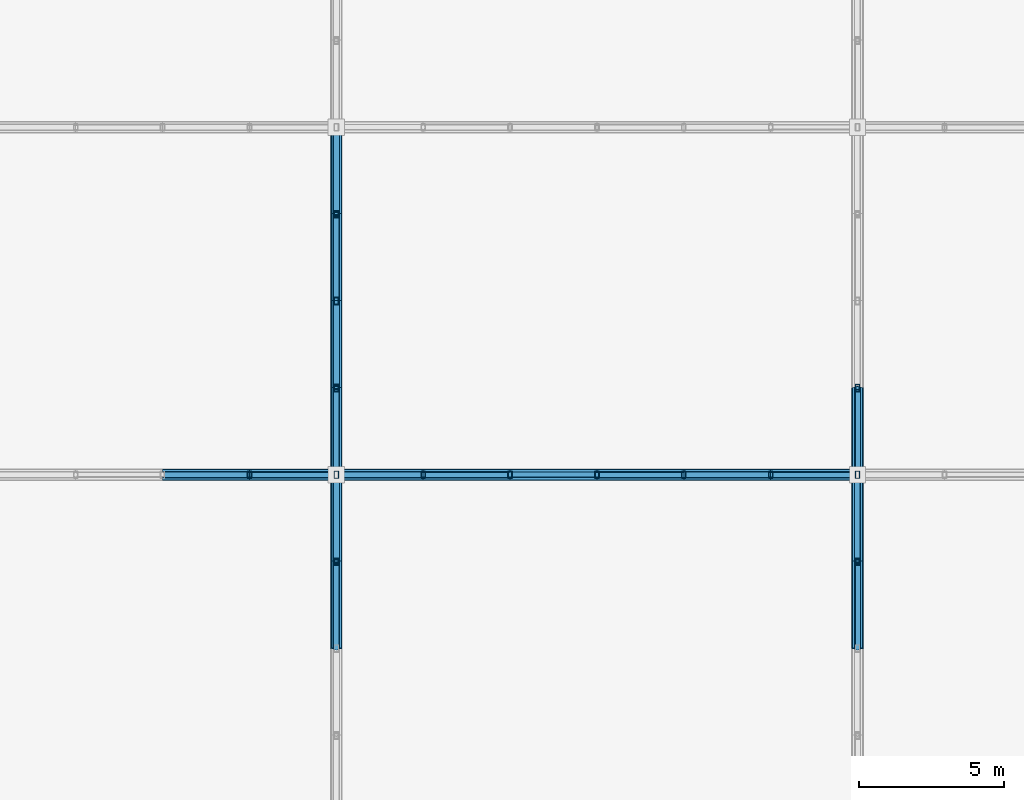
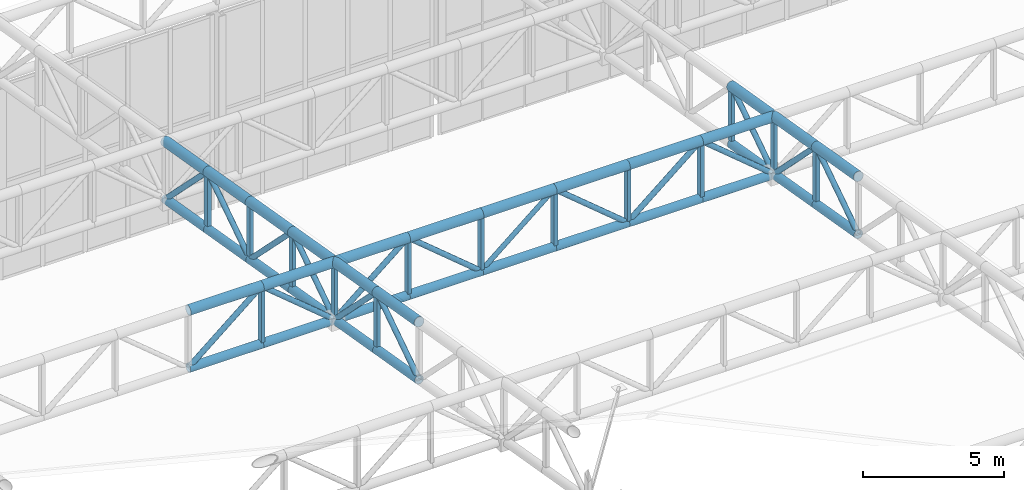
# One storey, part 106 of 239: 65 members.
"""IFC4 building model written with IfcOpenShell, lengths in metres."""

from ifc_helpers import new_model, si_unit, direction, frame, origin, origin_2d, place, context, subcontext, project, spatial, hollow_rectangle, hollow_circle, extrude, material, material_profile, profile_set, type_object, element, save


model = new_model("IFC4")

# Units and contexts
model_context = context("Model", 3, precision=1e-05, world=origin(), true_north=direction((0.0, 1.0)))
body_context = subcontext(model_context, "Body", "Model", "MODEL_VIEW")
ifc_project = project(units=[si_unit("LENGTHUNIT", "METRE"), si_unit("AREAUNIT", "SQUARE_METRE"), si_unit("VOLUMEUNIT", "CUBIC_METRE"), si_unit("PLANEANGLEUNIT", "RADIAN"), si_unit("MASSUNIT", "GRAM", prefix="KILO")], contexts=[model_context])

# Site, building, storey
site_placement = place(None, origin())
site = spatial("IfcSite", under=ifc_project, at=site_placement, CompositionType="ELEMENT")
building_placement = place(site_placement, origin())
building = spatial("IfcBuilding", under=site, at=building_placement, Name="Kaldris Quays Convention Centre", CompositionType="ELEMENT")
storey_placement = place(building_placement, frame((0.0, 0.0, 11.39990234375)))
storey = spatial("IfcBuildingStorey", under=building, at=storey_placement, Name="L02", CompositionType="ELEMENT", Elevation=11.39990234375)

# Members
ifc_material = material(Name="Steel S355J2H", Category="steel")
ifc_material_profile_1 = material_profile(ifc_material, hollow_circle(Radius=0.203125, WallThickness=0.01611328125, at=origin_2d()), Name="CHS 406.4x16")
ifc_profile_set_1 = profile_set([ifc_material_profile_1], Name="Steel S355J2H")
member_type_1 = type_object("IfcMemberType", Name="STRUCTURAL MEMBER SC01", PredefinedType="CHORD", material=ifc_profile_set_1)
for number, where, z_axis, x_axis, name in (
    (1, (50.0, 116.0, 13.7861328125), (1.0, 0.0, 0.0), (0.0, 1.0, 0.0), "SF-V1 Top Chord X 221"),
    (2, (53.0, 116.0, 13.7861328125), (1.0, 0.0, 0.0), (0.0, 1.0, 0.0), "SF-V1 Top Chord X 222"),
    (3, (56.0, 116.0, 13.7861328125), (1.0, 0.0, 0.0), (0.0, 1.0, 0.0), "SF-V1 Top Chord X 223"),
    (4, (59.0, 116.0, 13.7861328125), (1.0, 0.0, 0.0), (0.0, 1.0, 0.0), "SF-V1 Top Chord X 224"),
    (5, (62.0, 116.0, 13.7861328125), (1.0, 0.0, 0.0), (0.0, 1.0, 0.0), "SF-V1 Top Chord X 225"),
    (6, (65.0, 116.0, 13.7861328125), (1.0, 0.0, 0.0), (0.0, 1.0, 0.0), "SF-V1 Top Chord X 226"),
    (7, (68.0, 116.0, 13.7861328125), (1.0, 0.0, 0.0), (0.0, 1.0, 0.0), "SF-V1 Top Chord X 227"),
    (8, (71.0, 116.0, 13.7861328125), (1.0, 0.0, 0.0), (0.0, 1.0, 0.0), "SF-V1 Top Chord X 228"),
):
    element("IfcMember", number, at=place(storey_placement, frame(where, z_axis=z_axis, x_axis=x_axis)), inside=storey, type_object=member_type_1, Name=name, PredefinedType="CHORD", context=body_context, shape_type="SweptSolid", body=[
        extrude(hollow_circle(Radius=0.203125, WallThickness=0.01611328125, at=origin_2d()), origin(), (0.0, 0.0, 1.0), 3.0),
    ])
for number, where, z_axis, x_axis, name in (
    (9, (56.0, 110.0, 14.814697265625), (0.0, 0.98562912375, -0.168923741424), (-1.0, 0.0, 0.0), "SF-V1 Top Chord Y 411"),
    (10, (56.0, 113.0, 14.300537109375), (0.0, 0.985615766076, -0.169001661712), (-1.0, 0.0, 0.0), "SF-V1 Top Chord Y 412"),
    (11, (56.0, 116.0, 13.7861328125), (0.0, 0.98562912375, -0.168923741424), (-1.0, 0.0, 0.0), "SF-V1 Top Chord Y 413"),
    (12, (56.0, 119.0, 13.27197265625), (0.0, 0.985615766076, -0.169001661712), (-1.0, 0.0, 0.0), "SF-V1 Top Chord Y 414"),
    (13, (56.0, 122.0, 12.757568359375), (0.0, 0.98562912375, -0.168923741424), (-1.0, 0.0, 0.0), "SF-V1 Top Chord Y 415"),
    (14, (56.0, 125.0, 12.243408203125), (0.0, 0.985615766076, -0.169001661712), (-1.0, 0.0, 0.0), "SF-V1 Top Chord Y 416"),
    (15, (74.0, 110.0, 14.814697265625), (0.0, 0.98562912375, -0.168923741424), (-1.0, 0.0, 0.0), "SF-V1 Top Chord Y 439"),
    (16, (74.0, 113.0, 14.300537109375), (0.0, 0.985615766076, -0.169001661712), (-1.0, 0.0, 0.0), "SF-V1 Top Chord Y 440"),
    (17, (74.0, 116.0, 13.7861328125), (0.0, 0.98562912375, -0.168923741424), (-1.0, 0.0, 0.0), "SF-V1 Top Chord Y 441"),
):
    element("IfcMember", number, at=place(storey_placement, frame(where, z_axis=z_axis, x_axis=x_axis)), inside=storey, type_object=member_type_1, Name=name, PredefinedType="CHORD", context=body_context, shape_type="SweptSolid", body=[
        extrude(hollow_circle(Radius=0.203125, WallThickness=0.01611328125, at=origin_2d()), origin(), (0.0, 0.0, 1.0), 3.043701171875),
    ])
ifc_material_profile_2 = material_profile(ifc_material, hollow_circle(Radius=0.177734375, WallThickness=0.01611328125, at=origin_2d()), Name="CHS 355.6x16")
ifc_profile_set_2 = profile_set([ifc_material_profile_2], Name="Steel S355J2H")
member_type_2 = type_object("IfcMemberType", Name="STRUCTURAL MEMBER SC02", PredefinedType="CHORD", material=ifc_profile_set_2)
for number, where, z_axis, x_axis, name in (
    (18, (50.0, 116.0, 11.2861328125), (1.0, 0.0, 0.0), (0.0, 1.0, 0.0), "SF-V1 Bottom Chord X 221"),
    (19, (53.0, 116.0, 11.2861328125), (1.0, 0.0, 0.0), (0.0, 1.0, 0.0), "SF-V1 Bottom Chord X 222"),
    (20, (56.0, 116.0, 11.2861328125), (1.0, 0.0, 0.0), (0.0, 1.0, 0.0), "SF-V1 Bottom Chord X 223"),
    (21, (59.0, 116.0, 11.2861328125), (1.0, 0.0, 0.0), (0.0, 1.0, 0.0), "SF-V1 Bottom Chord X 224"),
    (22, (62.0, 116.0, 11.2861328125), (1.0, 0.0, 0.0), (0.0, 1.0, 0.0), "SF-V1 Bottom Chord X 225"),
    (23, (65.0, 116.0, 11.2861328125), (1.0, 0.0, 0.0), (0.0, 1.0, 0.0), "SF-V1 Bottom Chord X 226"),
    (24, (68.0, 116.0, 11.2861328125), (1.0, 0.0, 0.0), (0.0, 1.0, 0.0), "SF-V1 Bottom Chord X 227"),
    (25, (71.0, 116.0, 11.2861328125), (1.0, 0.0, 0.0), (0.0, 1.0, 0.0), "SF-V1 Bottom Chord X 228"),
):
    element("IfcMember", number, at=place(storey_placement, frame(where, z_axis=z_axis, x_axis=x_axis)), inside=storey, type_object=member_type_2, Name=name, PredefinedType="CHORD", context=body_context, shape_type="SweptSolid", body=[
        extrude(hollow_circle(Radius=0.177734375, WallThickness=0.01611328125, at=origin_2d()), origin(), (0.0, 0.0, 1.0), 3.0),
    ])
for number, where, z_axis, x_axis, name in (
    (26, (56.0, 110.0, 12.314697265625), (0.0, 0.98562912375, -0.168923741424), (-1.0, 0.0, 0.0), "SF-V1 Bottom Chord Y 411"),
    (27, (56.0, 113.0, 11.800537109375), (0.0, 0.985615766076, -0.169001661712), (-1.0, 0.0, 0.0), "SF-V1 Bottom Chord Y 412"),
    (28, (56.0, 116.0, 11.2861328125), (0.0, 0.98562912375, -0.168923741424), (-1.0, 0.0, 0.0), "SF-V1 Bottom Chord Y 413"),
    (29, (56.0, 119.0, 10.77197265625), (0.0, 0.985615766076, -0.169001661712), (-1.0, 0.0, 0.0), "SF-V1 Bottom Chord Y 414"),
    (30, (56.0, 122.0, 10.257568359375), (0.0, 0.98562912375, -0.168923741424), (-1.0, 0.0, 0.0), "SF-V1 Bottom Chord Y 415"),
    (31, (56.0, 125.0, 9.743408203125), (0.0, 0.985615766076, -0.169001661712), (-1.0, 0.0, 0.0), "SF-V1 Bottom Chord Y 416"),
    (32, (74.0, 110.0, 12.314697265625), (0.0, 0.98562912375, -0.168923741424), (-1.0, 0.0, 0.0), "SF-V1 Bottom Chord Y 439"),
    (33, (74.0, 113.0, 11.800537109375), (0.0, 0.985615766076, -0.169001661712), (-1.0, 0.0, 0.0), "SF-V1 Bottom Chord Y 440"),
    (34, (74.0, 116.0, 11.2861328125), (0.0, 0.98562912375, -0.168923741424), (-1.0, 0.0, 0.0), "SF-V1 Bottom Chord Y 441"),
):
    element("IfcMember", number, at=place(storey_placement, frame(where, z_axis=z_axis, x_axis=x_axis)), inside=storey, type_object=member_type_2, Name=name, PredefinedType="CHORD", context=body_context, shape_type="SweptSolid", body=[
        extrude(hollow_circle(Radius=0.177734375, WallThickness=0.01611328125, at=origin_2d()), origin(), (0.0, 0.0, 1.0), 3.043701171875),
    ])
ifc_material_profile_3 = material_profile(ifc_material, hollow_circle(Radius=0.109619140625, WallThickness=0.010009765625, at=origin_2d()), Name="CHS 219.1x10")
ifc_profile_set_3 = profile_set([ifc_material_profile_3], Name="Steel S355J2H")
member_type_3 = type_object("IfcMemberType", Name="STRUCTURAL MEMBER SWB1", PredefinedType="BRACE", material=ifc_profile_set_3)
for number, where, z_axis, x_axis, name in (
    (35, (50.0, 116.0, 11.2861328125), (0.768221279597, 0.0, 0.640184399664), (0.0, 1.0, 0.0), "SF-V1 Web Diagonal X 221"),
    (36, (56.0, 116.0, 11.2861328125), (-0.768221279597, 0.0, 0.640184399664), (0.0, -1.0, 0.0), "SF-V1 Web Diagonal X 222"),
    (37, (56.0, 116.0, 11.2861328125), (0.768221279597, 0.0, 0.640184399664), (0.0, 1.0, 0.0), "SF-V1 Web Diagonal X 223"),
    (38, (62.0, 116.0, 11.2861328125), (-0.768221279597, 0.0, 0.640184399664), (0.0, -1.0, 0.0), "SF-V1 Web Diagonal X 224"),
    (39, (68.0, 116.0, 11.2861328125), (-0.768221279597, 0.0, 0.640184399664), (0.0, -1.0, 0.0), "SF-V1 Web Diagonal X 226"),
    (40, (68.0, 116.0, 11.2861328125), (0.768221279597, 0.0, 0.640184399664), (0.0, 1.0, 0.0), "SF-V1 Web Diagonal X 227"),
    (41, (74.0, 116.0, 11.2861328125), (-0.768221279597, 0.0, 0.640184399664), (0.0, -1.0, 0.0), "SF-V1 Web Diagonal X 228"),
):
    element("IfcMember", number, at=place(storey_placement, frame(where, z_axis=z_axis, x_axis=x_axis)), inside=storey, type_object=member_type_3, Name=name, PredefinedType="BRACE", context=body_context, shape_type="SweptSolid", body=[
        extrude(hollow_circle(Radius=0.109619140625, WallThickness=0.010009765625, at=origin_2d()), origin(), (0.0, 0.0, 1.0), 3.905029296875),
    ])
member_1_placement = place(storey_placement, frame((56.0, 110.0, 12.314697265625), z_axis=(0.0, 0.833862389808, 0.551972385962), x_axis=(-1.0, 0.0, 0.0)))
element("IfcMember", 42, at=member_1_placement, inside=storey, type_object=member_type_3, Name="SF-V1 Web Diagonal Y 411", PredefinedType="BRACE", context=body_context, shape_type="SweptSolid", body=[
    extrude(hollow_circle(Radius=0.109619140625, WallThickness=0.010009765625, at=origin_2d()), origin(), (0.0, 0.0, 1.0), 3.59765625),
])
member_2_placement = place(storey_placement, frame((56.0, 116.0, 11.2861328125), z_axis=(0.0, -0.705411261057, 0.708798245465), x_axis=(1.0, 0.0, 0.0)))
element("IfcMember", 43, at=member_2_placement, inside=storey, type_object=member_type_3, Name="SF-V1 Web Diagonal Y 412", PredefinedType="BRACE", context=body_context, shape_type="SweptSolid", body=[
    extrude(hollow_circle(Radius=0.109619140625, WallThickness=0.010009765625, at=origin_2d()), origin(), (0.0, 0.0, 1.0), 4.2529296875),
])
member_3_placement = place(storey_placement, frame((56.0, 116.0, 11.2861328125), z_axis=(0.0, 0.833862389808, 0.551972385962), x_axis=(-1.0, 0.0, 0.0)))
element("IfcMember", 44, at=member_3_placement, inside=storey, type_object=member_type_3, Name="SF-V1 Web Diagonal Y 413", PredefinedType="BRACE", context=body_context, shape_type="SweptSolid", body=[
    extrude(hollow_circle(Radius=0.109619140625, WallThickness=0.010009765625, at=origin_2d()), origin(), (0.0, 0.0, 1.0), 3.59765625),
])
member_4_placement = place(storey_placement, frame((56.0, 122.0, 10.257568359375), z_axis=(0.0, -0.705411261057, 0.708798245465), x_axis=(1.0, 0.0, 0.0)))
element("IfcMember", 45, at=member_4_placement, inside=storey, type_object=member_type_3, Name="SF-V1 Web Diagonal Y 414", PredefinedType="BRACE", context=body_context, shape_type="SweptSolid", body=[
    extrude(hollow_circle(Radius=0.109619140625, WallThickness=0.010009765625, at=origin_2d()), origin(), (0.0, 0.0, 1.0), 4.2529296875),
])
member_5_placement = place(storey_placement, frame((56.0, 122.0, 10.257568359375), z_axis=(0.0, 0.833862389808, 0.551972385962), x_axis=(-1.0, 0.0, 0.0)))
element("IfcMember", 46, at=member_5_placement, inside=storey, type_object=member_type_3, Name="SF-V1 Web Diagonal Y 415", PredefinedType="BRACE", context=body_context, shape_type="SweptSolid", body=[
    extrude(hollow_circle(Radius=0.109619140625, WallThickness=0.010009765625, at=origin_2d()), origin(), (0.0, 0.0, 1.0), 3.59765625),
])
member_6_placement = place(storey_placement, frame((56.0, 128.0, 9.22900390625), z_axis=(0.0, -0.705411261057, 0.708798245465), x_axis=(1.0, 0.0, 0.0)))
element("IfcMember", 47, at=member_6_placement, inside=storey, type_object=member_type_3, Name="SF-V1 Web Diagonal Y 416", PredefinedType="BRACE", context=body_context, shape_type="SweptSolid", body=[
    extrude(hollow_circle(Radius=0.109619140625, WallThickness=0.010009765625, at=origin_2d()), origin(), (0.0, 0.0, 1.0), 4.2529296875),
])
member_7_placement = place(storey_placement, frame((74.0, 110.0, 12.314697265625), z_axis=(0.0, 0.833862389808, 0.551972385962), x_axis=(-1.0, 0.0, 0.0)))
element("IfcMember", 48, at=member_7_placement, inside=storey, type_object=member_type_3, Name="SF-V1 Web Diagonal Y 439", PredefinedType="BRACE", context=body_context, shape_type="SweptSolid", body=[
    extrude(hollow_circle(Radius=0.109619140625, WallThickness=0.010009765625, at=origin_2d()), origin(), (0.0, 0.0, 1.0), 3.59765625),
])
member_8_placement = place(storey_placement, frame((74.0, 116.0, 11.2861328125), z_axis=(0.0, -0.705411261057, 0.708798245465), x_axis=(1.0, 0.0, 0.0)))
element("IfcMember", 49, at=member_8_placement, inside=storey, type_object=member_type_3, Name="SF-V1 Web Diagonal Y 440", PredefinedType="BRACE", context=body_context, shape_type="SweptSolid", body=[
    extrude(hollow_circle(Radius=0.109619140625, WallThickness=0.010009765625, at=origin_2d()), origin(), (0.0, 0.0, 1.0), 4.2529296875),
])
member_9_placement = place(storey_placement, frame((74.0, 116.0, 11.2861328125), z_axis=(0.0, 0.833862389808, 0.551972385962), x_axis=(-1.0, 0.0, 0.0)))
element("IfcMember", 50, at=member_9_placement, inside=storey, type_object=member_type_3, Name="SF-V1 Web Diagonal Y 441", PredefinedType="BRACE", context=body_context, shape_type="SweptSolid", body=[
    extrude(hollow_circle(Radius=0.109619140625, WallThickness=0.010009765625, at=origin_2d()), origin(), (0.0, 0.0, 1.0), 3.59765625),
])
ifc_material_profile_4 = material_profile(ifc_material, hollow_circle(Radius=0.096923828125, WallThickness=0.008056640625, at=origin_2d()), Name="CHS 193.7x8")
ifc_profile_set_4 = profile_set([ifc_material_profile_4], Name="Steel S355J2H")
member_type_4 = type_object("IfcMemberType", Name="STRUCTURAL MEMBER SWB3", PredefinedType="BRACE", material=ifc_profile_set_4)
member_10_placement = place(storey_placement, frame((62.0, 116.0, 11.2861328125), z_axis=(0.768221279597, 0.0, 0.640184399664), x_axis=(0.0, 1.0, 0.0)))
element("IfcMember", 51, at=member_10_placement, inside=storey, type_object=member_type_4, Name="SF-V1 Web Diagonal X 225", PredefinedType="BRACE", context=body_context, shape_type="SweptSolid", body=[
    extrude(hollow_circle(Radius=0.096923828125, WallThickness=0.008056640625, at=origin_2d()), origin(), (0.0, 0.0, 1.0), 3.905029296875),
])
ifc_material_profile_5 = material_profile(ifc_material, hollow_rectangle(XDim=0.14990234375, YDim=0.25, WallThickness=0.010009765625, at=origin_2d()), Name="RHS 250x150x10")
ifc_profile_set_5 = profile_set([ifc_material_profile_5], Name="Steel S355J2H")
member_type_5 = type_object("IfcMemberType", Name="STRUCTURAL MEMBER TTV1", PredefinedType="POST", material=ifc_profile_set_5)
for number, where, z_axis, x_axis, name in (
    (52, (53.0, 116.0, 11.2861328125), (0.0, 0.0, 1.0), (1.0, 0.0, 0.0), "SF-V1 Space-Frame Post 136"),
    (53, (56.0, 113.0, 11.800537109375), (0.0, 0.0, 1.0), (1.0, 0.0, 0.0), "SF-V1 Space-Frame Post 158"),
    (54, (56.0, 116.0, 11.2861328125), (0.0, 0.0, 1.0), (1.0, 0.0, 0.0), "SF-V1 Space-Frame Post 159"),
    (55, (56.0, 119.0, 10.77197265625), (0.0, 0.0, 1.0), (1.0, 0.0, 0.0), "SF-V1 Space-Frame Post 160"),
    (56, (56.0, 122.0, 10.257568359375), (0.0, 0.0, 1.0), (1.0, 0.0, 0.0), "SF-V1 Space-Frame Post 161"),
    (57, (56.0, 125.0, 9.743408203125), (0.0, 0.0, 1.0), (1.0, 0.0, 0.0), "SF-V1 Space-Frame Post 162"),
    (58, (59.0, 116.0, 11.2861328125), (0.0, 0.0, 1.0), (1.0, 0.0, 0.0), "SF-V1 Space-Frame Post 173"),
    (59, (62.0, 116.0, 11.2861328125), (0.0, 0.0, 1.0), (1.0, 0.0, 0.0), "SF-V1 Space-Frame Post 181"),
    (60, (65.0, 116.0, 11.2861328125), (0.0, 0.0, 1.0), (1.0, 0.0, 0.0), "SF-V1 Space-Frame Post 189"),
    (61, (68.0, 116.0, 11.2861328125), (0.0, 0.0, 1.0), (1.0, 0.0, 0.0), "SF-V1 Space-Frame Post 197"),
    (62, (71.0, 116.0, 11.2861328125), (0.0, 0.0, 1.0), (1.0, 0.0, 0.0), "SF-V1 Space-Frame Post 205"),
    (63, (74.0, 113.0, 11.800537109375), (0.0, 0.0, 1.0), (1.0, 0.0, 0.0), "SF-V1 Space-Frame Post 227"),
    (64, (74.0, 116.0, 11.2861328125), (0.0, 0.0, 1.0), (1.0, 0.0, 0.0), "SF-V1 Space-Frame Post 228"),
    (65, (74.0, 119.0, 10.77197265625), (0.0, 0.0, 1.0), (1.0, 0.0, 0.0), "SF-V1 Space-Frame Post 229"),
):
    element("IfcMember", number, at=place(storey_placement, frame(where, z_axis=z_axis, x_axis=x_axis)), inside=storey, type_object=member_type_5, Name=name, PredefinedType="POST", context=body_context, shape_type="SweptSolid", body=[
        extrude(hollow_rectangle(XDim=0.14990234375, YDim=0.25, WallThickness=0.010009765625, at=origin_2d()), origin(), (0.0, 0.0, 1.0), 2.5),
    ])

save(model, "model.ifc")
